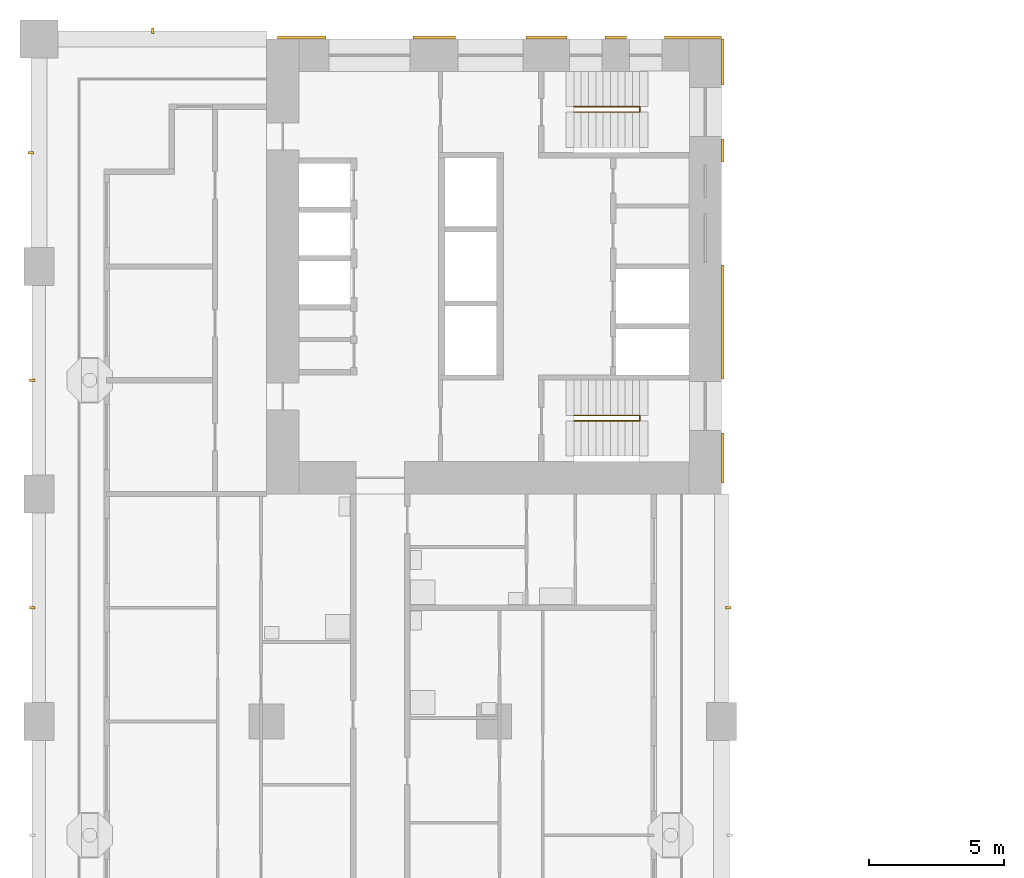
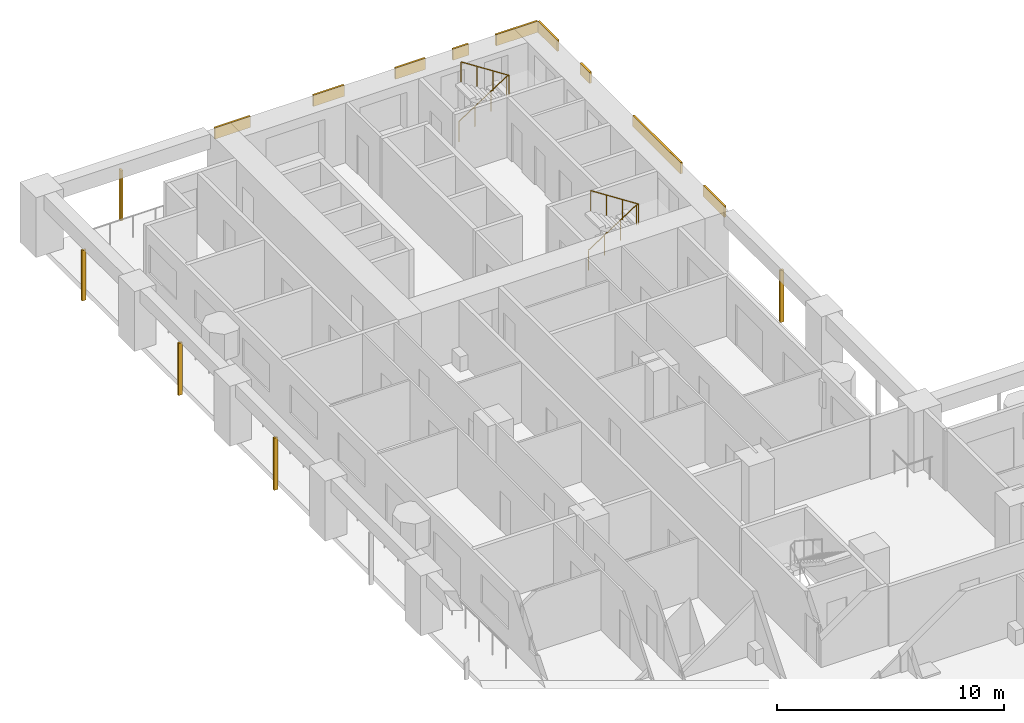
# One storey, part 15 of 20: 14 shading devices, 2 railings.
"""IFC4 building model written with IfcOpenShell, lengths in metres."""

from ifc_helpers import new_model, si_unit, direction, frame, origin, origin_2d, place, context, subcontext, project, spatial, rectangle, circle, extrude, material, layer, layer_set, material_profile, profile_set, type_object, element, save


model = new_model("IFC4")

# Units and contexts
model_context = context("Model", 3, precision=1e-05, world=origin(), true_north=direction((0.0, 1.0)))
body_context = subcontext(model_context, "Body", "Model", "MODEL_VIEW")
ifc_project = project(units=[si_unit("LENGTHUNIT", "METRE"), si_unit("AREAUNIT", "SQUARE_METRE"), si_unit("VOLUMEUNIT", "CUBIC_METRE"), si_unit("PLANEANGLEUNIT", "RADIAN"), si_unit("MASSUNIT", "GRAM", prefix="KILO")], contexts=[model_context])

# Site, building, storey
site_placement = place(None, origin())
site = spatial("IfcSite", under=ifc_project, at=site_placement, CompositionType="ELEMENT")
building_placement = place(site_placement, origin())
building = spatial("IfcBuilding", under=site, at=building_placement, Name="Vermilion Gate Residences", CompositionType="ELEMENT")
storey_placement = place(building_placement, frame((0.0, 0.0, 42.699951171875)))
storey = spatial("IfcBuildingStorey", under=building, at=storey_placement, Name="L09", CompositionType="ELEMENT", Elevation=42.699951171875)

# Railings
ifc_material_1 = material(Name="Steel S355", Category="steel")
railing_type = type_object("IfcRailingType", Name="STAIR GUARD 1100 STEEL", PredefinedType="GUARDRAIL", material=ifc_material_1)
for number, where, name in (
    (1, (19.75, 56.300048828125, 0.175048828125), "Stair well guard STB1-09"),
    (2, (19.75, 44.89990234375, 0.175048828125), "Stair well guard STB2-09"),
):
    element("IfcRailing", number, at=place(storey_placement, frame(where)), inside=storey, type_object=railing_type, Name=name, PredefinedType="GUARDRAIL", context=body_context, shape_type="SweptSolid", body=[
        extrude(circle(Radius=0.02392578125, at=origin_2d()), frame((0.0, 0.0, 1.076171875), z_axis=(0.839153699163, 0.0, 0.543894354798), x_axis=(0.0, 1.0, 0.0)), (0.0, 0.0, 1.0), 2.895751953125),
        extrude(circle(Radius=0.02392578125, at=origin_2d()), frame((2.429931640625, 0.0, 2.65087890625), z_axis=(0.0, -0.752405939678, 0.658699705433), x_axis=(1.0, 0.0, 0.0)), (0.0, 0.0, 1.0), 0.265869140625),
        extrude(circle(Radius=0.02392578125, at=origin_2d()), frame((2.429931640625, -0.199951171875, 2.826171875), z_axis=(-0.839153699163, 0.0, 0.543894354798), x_axis=(0.0, -1.0, 0.0)), (0.0, 0.0, 1.0), 2.895751953125),
        extrude(circle(Radius=0.02099609375, at=origin_2d()), origin(), (0.0, 0.0, 1.0), 1.052001953125),
        extrude(circle(Radius=0.02099609375, at=origin_2d()), frame((0.81005859375, 0.0, 0.52490234375)), (0.0, 0.0, 1.0), 1.052001953125),
        extrude(circle(Radius=0.02099609375, at=origin_2d()), frame((1.619873046875, 0.0, 1.050048828125)), (0.0, 0.0, 1.0), 1.052001953125),
        extrude(circle(Radius=0.02099609375, at=origin_2d()), frame((2.429931640625, 0.0, 1.574951171875)), (0.0, 0.0, 1.0), 1.052001953125),
        extrude(circle(Radius=0.02099609375, at=origin_2d()), frame((2.429931640625, -0.199951171875, 1.75)), (0.0, 0.0, 1.0), 1.052001953125),
        extrude(circle(Radius=0.02099609375, at=origin_2d()), frame((1.619873046875, -0.199951171875, 2.27490234375)), (0.0, 0.0, 1.0), 1.052001953125),
        extrude(circle(Radius=0.02099609375, at=origin_2d()), frame((0.81005859375, -0.199951171875, 2.800048828125)), (0.0, 0.0, 1.0), 1.052001953125),
        extrude(circle(Radius=0.02099609375, at=origin_2d()), frame((0.0, -0.199951171875, 3.324951171875)), (0.0, 0.0, 1.0), 1.052001953125),
    ])

# Shading devices
ifc_material_2 = material(Name="Extruded terracotta", Category="masonry")
ifc_material_profile = material_profile(ifc_material_2, rectangle(XDim=0.199951171875, YDim=0.10009765625, at=origin_2d()), Name="BAGUETTE 100 X 200")
ifc_profile_set = profile_set([ifc_material_profile], Name="Extruded terracotta")
shading_device_type_1 = type_object("IfcShadingDeviceType", Name="TERRACOTTA BAGUETTE 100 X 200", PredefinedType="JALOUSIE", material=ifc_profile_set)
shading_device_1_placement = place(storey_placement, frame((25.449951171875, 37.800048828125, -0.280029296875), z_axis=(0.0, 0.0, 1.0), x_axis=(-1.0, 0.0, 0.0)))
element("IfcShadingDevice", 3, at=shading_device_1_placement, inside=storey, type_object=shading_device_type_1, Name="BAGUETTE", PredefinedType="JALOUSIE", context=body_context, shape_type="SweptSolid", body=[
    extrude(rectangle(XDim=0.199951171875, YDim=0.10009765625, at=origin_2d()), origin(), (0.0, 0.0, 1.0), 2.800048828125),
])
shading_device_2_placement = place(storey_placement, frame((4.199951171875, 59.10009765625, -0.280029296875), z_axis=(0.0, 0.0, 1.0), x_axis=(0.0, -1.0, 0.0)))
element("IfcShadingDevice", 4, at=shading_device_2_placement, inside=storey, type_object=shading_device_type_1, Name="BAGUETTE", PredefinedType="JALOUSIE", context=body_context, shape_type="SweptSolid", body=[
    extrude(rectangle(XDim=0.199951171875, YDim=0.10009765625, at=origin_2d()), origin(), (0.0, 0.0, 1.0), 2.7001953125),
])
for number, where, z_axis, x_axis, name in (
    (5, (-0.25, 37.800048828125, -0.280029296875), (0.0, 0.0, 1.0), (1.0, 0.0, 0.0), "BAGUETTE"),
    (6, (-0.25, 46.199951171875, -0.280029296875), (0.0, 0.0, 1.0), (1.0, 0.0, 0.0), "BAGUETTE"),
):
    element("IfcShadingDevice", number, at=place(storey_placement, frame(where, z_axis=z_axis, x_axis=x_axis)), inside=storey, type_object=shading_device_type_1, Name=name, PredefinedType="JALOUSIE", context=body_context, shape_type="SweptSolid", body=[
        extrude(rectangle(XDim=0.199951171875, YDim=0.10009765625, at=origin_2d()), origin(), (0.0, 0.0, 1.0), 2.800048828125),
    ])
shading_device_3_placement = place(storey_placement, frame((-0.300048828125, 54.60009765625, -0.280029296875), z_axis=(0.0, 0.0, 1.0), x_axis=(1.0, 0.0, 0.0)))
element("IfcShadingDevice", 7, at=shading_device_3_placement, inside=storey, type_object=shading_device_type_1, Name="BAGUETTE", PredefinedType="JALOUSIE", context=body_context, shape_type="SweptSolid", body=[
    extrude(rectangle(XDim=0.199951171875, YDim=0.10009765625, at=origin_2d()), origin(), (0.0, 0.0, 1.0), 2.7001953125),
])
ifc_material_3 = material(Name="Extruded terracotta", Category="masonry")
ifc_layer = layer(ifc_material_3, 0.10009765625)
ifc_layer_set = layer_set([ifc_layer], Name="TERRACOTTA SPANDREL BAND 600 X 100")
shading_device_type_2 = type_object("IfcShadingDeviceType", Name="TERRACOTTA SPANDREL BAND 600 X 100", PredefinedType="USERDEFINED", material=ifc_layer_set)
shading_device_4_placement = place(storey_placement, frame((9.702392578125, 58.85009765625, 2.6201171875), z_axis=(0.0, 0.0, 1.0), x_axis=(1.0, 0.0, 0.0)))
element("IfcShadingDevice", 8, at=shading_device_4_placement, inside=storey, type_object=shading_device_type_2, Name="SPANDREL BAND", ObjectType="BAND", PredefinedType="USERDEFINED", context=body_context, shape_type="SweptSolid", body=[
    extrude(rectangle(XDim=1.804931640625, YDim=0.10009765625, at=origin_2d()), origin(), (0.0, 0.0, 1.0), 0.60009765625),
])
shading_device_5_placement = place(storey_placement, frame((14.590087890625, 58.85009765625, 2.6201171875), z_axis=(0.0, 0.0, 1.0), x_axis=(1.0, 0.0, 0.0)))
element("IfcShadingDevice", 9, at=shading_device_5_placement, inside=storey, type_object=shading_device_type_2, Name="SPANDREL BAND", ObjectType="BAND", PredefinedType="USERDEFINED", context=body_context, shape_type="SweptSolid", body=[
    extrude(rectangle(XDim=1.570068359375, YDim=0.10009765625, at=origin_2d()), origin(), (0.0, 0.0, 1.0), 0.60009765625),
])
shading_device_6_placement = place(storey_placement, frame((18.734130859375, 58.85009765625, 2.6201171875), z_axis=(0.0, 0.0, 1.0), x_axis=(1.0, 0.0, 0.0)))
element("IfcShadingDevice", 10, at=shading_device_6_placement, inside=storey, type_object=shading_device_type_2, Name="SPANDREL BAND", ObjectType="BAND", PredefinedType="USERDEFINED", context=body_context, shape_type="SweptSolid", body=[
    extrude(rectangle(XDim=1.518310546875, YDim=0.10009765625, at=origin_2d()), origin(), (0.0, 0.0, 1.0), 0.60009765625),
])
shading_device_7_placement = place(storey_placement, frame((21.294921875, 58.85009765625, 2.6201171875), z_axis=(0.0, 0.0, 1.0), x_axis=(1.0, 0.0, 0.0)))
element("IfcShadingDevice", 11, at=shading_device_7_placement, inside=storey, type_object=shading_device_type_2, Name="SPANDREL BAND", ObjectType="BAND", PredefinedType="USERDEFINED", context=body_context, shape_type="SweptSolid", body=[
    extrude(rectangle(XDim=0.803466796875, YDim=0.10009765625, at=origin_2d()), origin(), (0.0, 0.0, 1.0), 0.60009765625),
])
shading_device_8_placement = place(storey_placement, frame((24.1484375, 58.85009765625, 2.6201171875), z_axis=(0.0, 0.0, 1.0), x_axis=(1.0, 0.0, 0.0)))
element("IfcShadingDevice", 12, at=shading_device_8_placement, inside=storey, type_object=shading_device_type_2, Name="SPANDREL BAND", ObjectType="BAND", PredefinedType="USERDEFINED", context=body_context, shape_type="SweptSolid", body=[
    extrude(rectangle(XDim=2.103271484375, YDim=0.10009765625, at=origin_2d()), origin(), (0.0, 0.0, 1.0), 0.60009765625),
])
shading_device_9_placement = place(storey_placement, frame((25.25, 43.324951171875, 2.6201171875), z_axis=(0.0, 0.0, 1.0), x_axis=(0.0, 1.0, 0.0)))
element("IfcShadingDevice", 13, at=shading_device_9_placement, inside=storey, type_object=shading_device_type_2, Name="SPANDREL BAND", ObjectType="BAND", PredefinedType="USERDEFINED", context=body_context, shape_type="SweptSolid", body=[
    extrude(rectangle(XDim=1.85009765625, YDim=0.10009765625, at=origin_2d()), origin(), (0.0, 0.0, 1.0), 0.60009765625),
])
shading_device_10_placement = place(storey_placement, frame((25.25, 48.35009765625, 2.6201171875), z_axis=(0.0, 0.0, 1.0), x_axis=(0.0, 1.0, 0.0)))
element("IfcShadingDevice", 14, at=shading_device_10_placement, inside=storey, type_object=shading_device_type_2, Name="SPANDREL BAND", ObjectType="BAND", PredefinedType="USERDEFINED", context=body_context, shape_type="SweptSolid", body=[
    extrude(rectangle(XDim=4.199951171875, YDim=0.10009765625, at=origin_2d()), origin(), (0.0, 0.0, 1.0), 0.60009765625),
])
shading_device_11_placement = place(storey_placement, frame((25.25, 54.67822265625, 2.6201171875), z_axis=(0.0, 0.0, 1.0), x_axis=(0.0, 1.0, 0.0)))
element("IfcShadingDevice", 15, at=shading_device_11_placement, inside=storey, type_object=shading_device_type_2, Name="SPANDREL BAND", ObjectType="BAND", PredefinedType="USERDEFINED", context=body_context, shape_type="SweptSolid", body=[
    extrude(rectangle(XDim=0.84375, YDim=0.10009765625, at=origin_2d()), origin(), (0.0, 0.0, 1.0), 0.60009765625),
])
shading_device_12_placement = place(storey_placement, frame((25.25, 57.949951171875, 2.6201171875), z_axis=(0.0, 0.0, 1.0), x_axis=(0.0, 1.0, 0.0)))
element("IfcShadingDevice", 16, at=shading_device_12_placement, inside=storey, type_object=shading_device_type_2, Name="SPANDREL BAND", ObjectType="BAND", PredefinedType="USERDEFINED", context=body_context, shape_type="SweptSolid", body=[
    extrude(rectangle(XDim=1.699951171875, YDim=0.10009765625, at=origin_2d()), origin(), (0.0, 0.0, 1.0), 0.60009765625),
])

save(model, "model.ifc")
